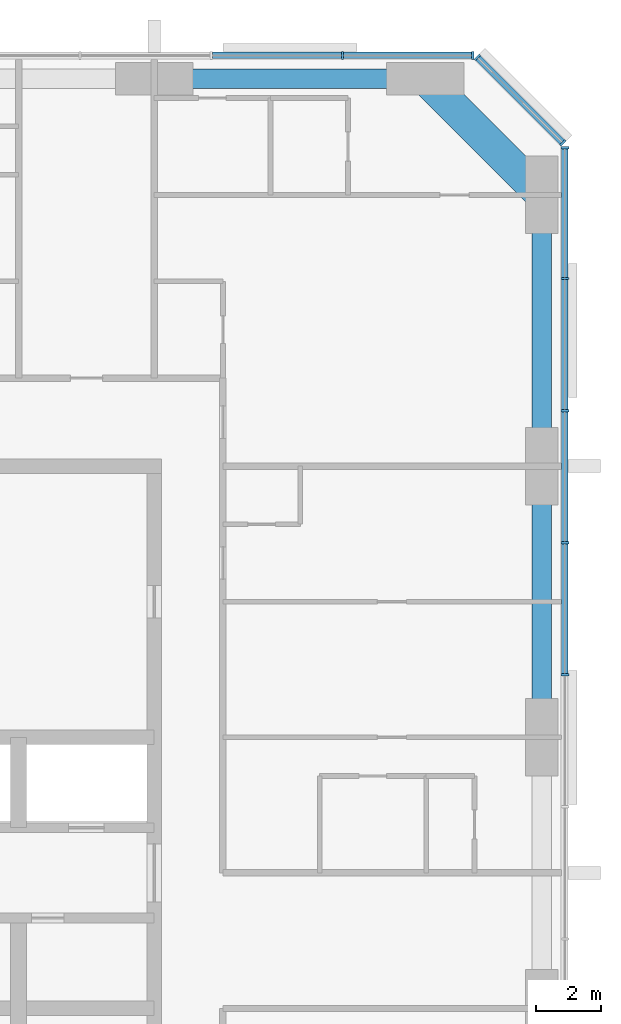
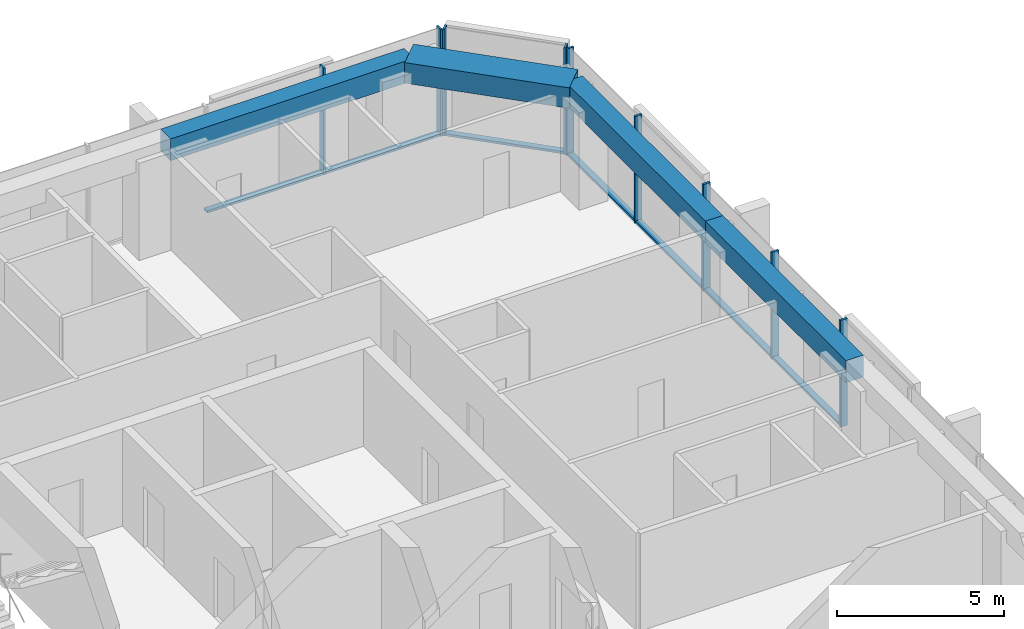
# One storey, part 5 of 12: 16 members, 4 beams, 3 elements without a shape of their own.
"""IFC4 building model written with IfcOpenShell, lengths in metres."""

import ifcopenshell
import ifcopenshell.guid

model = None  # the IFC model being written
_history = None  # IfcOwnerHistory: only IFC2X3 demands one
_inside = {}  # id of a spatial element -> (the spatial element, [elements in it])
_under = {}  # id of a project, library or spatial element -> (it, [spatial elements below it])
_declared = {}  # id of a project -> (the project, [libraries it declares])
_typed = {}  # id of a type object -> (the type object, [elements of that type])
_made_of = {}  # id of a material, layer set ... -> (it, [elements and type objects made of it])


def new_model(schema):
    """Start an empty IFC model of exactly this schema.

    Asked for "IFC4X3", IfcOpenShell would pick the latest addendum, in which some entities
    have other attributes; the version numbers below select the first issue.
    IFC2X3 requires an IfcOwnerHistory on every rooted entity: one is made here for all.
    """
    global model, _history
    if schema == "IFC4X3":
        model = ifcopenshell.file(schema_version=(4, 3, 0, 0))
    else:
        model = ifcopenshell.file(schema=schema)
    _inside.clear()
    _under.clear()
    _declared.clear()
    _typed.clear()
    _made_of.clear()
    _history = None
    if model.schema == "IFC2X3":
        org = make("IfcOrganization", Name="unknown")
        user = make(
            "IfcPersonAndOrganization",
            ThePerson=make("IfcPerson", FamilyName="unknown"),
            TheOrganization=org,
        )
        app = make(
            "IfcApplication",
            ApplicationDeveloper=org,
            Version="unknown",
            ApplicationFullName="unknown",
            ApplicationIdentifier="unknown",
        )
        _history = make(
            "IfcOwnerHistory",
            OwningUser=user,
            OwningApplication=app,
            ChangeAction="ADDED",
            CreationDate=0,
        )
    return model


def make(cls, **values):
    """One entity of the class cls with the attributes given. An attribute that is None is left unset."""
    return model.create_entity(
        cls, **{name: value for name, value in values.items() if value is not None}
    )


def rooted(cls, **values):
    """An entity with a GlobalId (a new one), such as an element, a storey or a relation."""
    return make(cls, GlobalId=ifcopenshell.guid.new(), OwnerHistory=_history, **values)


def si_unit(unit_type, name, prefix=None):
    """IfcSIUnit, for example si_unit("LENGTHUNIT", "METRE", prefix="MILLI")."""
    return make("IfcSIUnit", UnitType=unit_type, Prefix=prefix, Name=name)


def assignment(units):
    """IfcUnitAssignment: the units of a project."""
    return None if units is None else make("IfcUnitAssignment", Units=units)


def point(xyz):
    """IfcCartesianPoint."""
    return None if xyz is None else make("IfcCartesianPoint", Coordinates=xyz)


def direction(xyz):
    """IfcDirection."""
    return None if xyz is None else make("IfcDirection", DirectionRatios=xyz)


def frame(location, z_axis=None, x_axis=None):
    """IfcAxis2Placement3D, a coordinate frame: its origin and axes. An axis left out is left unset."""
    return make(
        "IfcAxis2Placement3D",
        Location=point(location),
        Axis=direction(z_axis),
        RefDirection=direction(x_axis),
    )


def frame_2d(location, x_axis=None):
    """IfcAxis2Placement2D, a coordinate frame in the plane: its origin and x axis."""
    return make(
        "IfcAxis2Placement2D", Location=point(location), RefDirection=direction(x_axis)
    )


def origin():
    """The frame at (0, 0, 0) with its axes left unset."""
    return frame((0.0, 0.0, 0.0))


def origin_2d():
    """The frame at (0, 0) in the plane with its x axis left unset."""
    return frame_2d((0.0, 0.0))


def place(relative_to, where):
    """IfcLocalPlacement: puts the frame where relative to a parent placement (None: the world)."""
    return make(
        "IfcLocalPlacement", PlacementRelTo=relative_to, RelativePlacement=where
    )


def context(
    kind, dimensions, precision=None, world=None, true_north=None, identifier=None
):
    """IfcGeometricRepresentationContext, for example the 3D "Model" context."""
    return make(
        "IfcGeometricRepresentationContext",
        ContextIdentifier=identifier,
        ContextType=kind,
        CoordinateSpaceDimension=dimensions,
        Precision=precision,
        WorldCoordinateSystem=world,
        TrueNorth=true_north,
    )


def subcontext(parent, identifier, kind, view, scale=None):
    """IfcGeometricRepresentationSubContext, for example "Body" below "Model"."""
    return make(
        "IfcGeometricRepresentationSubContext",
        ContextIdentifier=identifier,
        ContextType=kind,
        ParentContext=parent,
        TargetScale=scale,
        TargetView=view,
    )


def project(units=None, contexts=None):
    """IfcProject with its units and contexts."""
    return rooted(
        "IfcProject",
        Name="project",
        RepresentationContexts=contexts,
        UnitsInContext=assignment(units),
    )


def spatial(cls, under=None, at=None, **own):
    """A site, building, storey or space (cls), placed at a placement, below another one or the project."""
    s = rooted(cls, ObjectPlacement=at, **own)
    if under is not None:
        _under.setdefault(under.id(), (under, []))[1].append(s)
    return s


def profile(cls, at=None, kind="AREA", **sizes):
    """A parametric profile (cls). Its sizes go by their IFC names, for example OverallWidth=200.0."""
    return make(cls, ProfileType=kind, Position=at, **sizes)


def rectangle(**sizes):
    """IfcRectangleProfileDef."""
    return profile("IfcRectangleProfileDef", **sizes)


def extrude(swept, where, along, depth):
    """IfcExtrudedAreaSolid: the profile swept, set in the frame where, extruded along a direction by depth."""
    return make(
        "IfcExtrudedAreaSolid",
        SweptArea=swept,
        Position=where,
        ExtrudedDirection=direction(along),
        Depth=depth,
    )


def shape(context_of_items, identifier, shape_type, items):
    """IfcShapeRepresentation: the items that make up one representation, for example the "Body"."""
    return make(
        "IfcShapeRepresentation",
        ContextOfItems=context_of_items,
        RepresentationIdentifier=identifier,
        RepresentationType=shape_type,
        Items=items,
    )


def material(Name=None, Category=None):
    """IfcMaterial."""
    return make("IfcMaterial", Name=Name, Category=Category)


def material_profile(
    of_material, cross_section, Name=None, Category=None, Priority=None
):
    """IfcMaterialProfile: a cross section and its material."""
    return make(
        "IfcMaterialProfile",
        Name=Name,
        Material=of_material,
        Profile=cross_section,
        Priority=Priority,
        Category=Category,
    )


def profile_set(profiles, Name=None, composite=None):
    """IfcMaterialProfileSet."""
    return make(
        "IfcMaterialProfileSet",
        Name=Name,
        MaterialProfiles=profiles,
        CompositeProfile=composite,
    )


def made_of(thing, what):
    """Note that an element or type object is made of a material, layer set ...; save() writes the relation."""
    if what is not None:
        _made_of.setdefault(what.id(), (what, []))[1].append(thing)
    return thing


def type_object(cls, material=None, **own):
    """A type object (cls), such as IfcWallType, which elements share."""
    return made_of(rooted(cls, **own), material)


def element(
    cls,
    number,
    at=None,
    inside=None,
    cuts=None,
    type_object=None,
    material=None,
    context=None,
    identifier="Body",
    shape_type=None,
    held_by="IfcProductDefinitionShape",
    body=None,
    shapes=None,
    **own,
):
    """One element of the class cls, such as IfcWall. Its Tag is "e" and its number.

    at: its placement. inside: the storey or other place that contains it. cuts: it is an
    opening in that element (IfcRelVoidsElement). A single representation is given by context,
    identifier, shape_type and body (its items); several are given by shapes. held_by: the class
    of the entity that holds the representations. save() writes the other relations.
    """
    e = rooted(cls, Tag="e%d" % number, ObjectPlacement=at, **own)
    if body is not None:
        shapes = [shape(context, identifier, shape_type, body)]
    if shapes is not None:
        e.Representation = make(held_by, Representations=shapes)
    if inside is not None:
        _inside.setdefault(inside.id(), (inside, []))[1].append(e)
    if cuts is not None:
        rooted(
            "IfcRelVoidsElement", RelatingBuildingElement=cuts, RelatedOpeningElement=e
        )
    if type_object is not None:
        _typed.setdefault(type_object.id(), (type_object, []))[1].append(e)
    return made_of(e, material)


def aggregate(whole, parts):
    """IfcRelAggregates: a whole, such as a stair, and the parts it consists of."""
    return rooted("IfcRelAggregates", RelatingObject=whole, RelatedObjects=parts)


def save(model, path):
    """Write the relations noted so far, then the file.

    IfcRelAggregates (storeys below a building ...), IfcRelContainedInSpatialStructure (elements
    in a storey), IfcRelDefinesByType, IfcRelAssociatesMaterial and IfcRelDeclares: one each for
    every whole, place, type object, material and project.
    """
    for whole, parts in _under.values():
        aggregate(whole, parts)
    for where, things in _inside.values():
        rooted(
            "IfcRelContainedInSpatialStructure",
            RelatedElements=things,
            RelatingStructure=where,
        )
    for kind, things in _typed.values():
        rooted("IfcRelDefinesByType", RelatedObjects=things, RelatingType=kind)
    for what, things in _made_of.values():
        rooted("IfcRelAssociatesMaterial", RelatedObjects=things, RelatingMaterial=what)
    for by, libraries in _declared.values():
        rooted("IfcRelDeclares", RelatingContext=by, RelatedDefinitions=libraries)
    model.write(path)


model = new_model("IFC4")

# Units and contexts
model_context = context("Model", 3, precision=1e-05, world=origin(), true_north=direction((0.0, 1.0)))
body_context = subcontext(model_context, "Body", "Model", "MODEL_VIEW")
ifc_project = project(units=[si_unit("LENGTHUNIT", "METRE"), si_unit("AREAUNIT", "SQUARE_METRE"), si_unit("VOLUMEUNIT", "CUBIC_METRE"), si_unit("PLANEANGLEUNIT", "RADIAN"), si_unit("MASSUNIT", "GRAM", prefix="KILO")], contexts=[model_context])

# Site, building, storey
site_placement = place(None, origin())
site = spatial("IfcSite", under=ifc_project, at=site_placement, CompositionType="ELEMENT")
building_placement = place(site_placement, origin())
building = spatial("IfcBuilding", under=site, at=building_placement, Name="Dunama Terrace Hotel", CompositionType="ELEMENT")
storey_placement = place(building_placement, frame((0.0, 0.0, 241.199951171875)))
storey = spatial("IfcBuildingStorey", under=building, at=storey_placement, Name="L62", CompositionType="ELEMENT", Elevation=241.199951171875)

# Curtain wall, members
ifc_material_1 = material(Name="Aluminium curtain wall system", Category="aluminium")
curtain_wall_type = type_object("IfcCurtainWallType", Name="Unitised fritted glass wall CW-D", PredefinedType="NOTDEFINED", material=ifc_material_1)
curtain_wall_1_placement = place(storey_placement, origin())
curtain_wall_1 = element("IfcCurtainWall", 1, at=curtain_wall_1_placement, inside=storey, type_object=curtain_wall_type, Name="Unitised fritted glass wall CW-D L62", PredefinedType="NOTDEFINED")
ifc_material_2 = material(Name="Aluminium mullion", Category="aluminium")
ifc_material_profile_1 = material_profile(ifc_material_2, rectangle(XDim=0.070068359375, YDim=0.239990234375, at=origin_2d()), Name="CWD MULLION 70X240")
ifc_profile_set_1 = profile_set([ifc_material_profile_1], Name="Aluminium mullion")
member_type_1 = type_object("IfcMemberType", Name="CWD mullion 70x240", PredefinedType="MULLION", material=ifc_profile_set_1)
member_1_placement = place(storey_placement, frame((54.719970703125, 35.535888671875, 0.0), z_axis=(0.0, 0.0, 1.0), x_axis=(0.0, 1.0, 0.0)))
member_1 = element("IfcMember", 2, at=member_1_placement, type_object=member_type_1, Name="CWD mullion", PredefinedType="MULLION", context=body_context, shape_type="SweptSolid", body=[
    extrude(rectangle(XDim=0.070068359375, YDim=0.239990234375, at=origin_2d()), origin(), (0.0, 0.0, 1.0), 3.900146484375),
])
member_2_placement = place(storey_placement, frame((54.719970703125, 39.626953125, 0.0), z_axis=(0.0, 0.0, 1.0), x_axis=(0.0, 1.0, 0.0)))
member_2 = element("IfcMember", 3, at=member_2_placement, type_object=member_type_1, Name="CWD mullion", PredefinedType="MULLION", context=body_context, shape_type="SweptSolid", body=[
    extrude(rectangle(XDim=0.070068359375, YDim=0.239990234375, at=origin_2d()), origin(), (0.0, 0.0, 1.0), 3.900146484375),
])
member_3_placement = place(storey_placement, frame((54.719970703125, 43.718017578125, 0.0), z_axis=(0.0, 0.0, 1.0), x_axis=(0.0, 1.0, 0.0)))
member_3 = element("IfcMember", 4, at=member_3_placement, type_object=member_type_1, Name="CWD mullion", PredefinedType="MULLION", context=body_context, shape_type="SweptSolid", body=[
    extrude(rectangle(XDim=0.070068359375, YDim=0.239990234375, at=origin_2d()), origin(), (0.0, 0.0, 1.0), 3.900146484375),
])
member_4_placement = place(storey_placement, frame((54.719970703125, 47.80908203125, 0.0), z_axis=(0.0, 0.0, 1.0), x_axis=(0.0, 1.0, 0.0)))
member_4 = element("IfcMember", 5, at=member_4_placement, type_object=member_type_1, Name="CWD mullion", PredefinedType="MULLION", context=body_context, shape_type="SweptSolid", body=[
    extrude(rectangle(XDim=0.070068359375, YDim=0.239990234375, at=origin_2d()), origin(), (0.0, 0.0, 1.0), 3.900146484375),
])
member_5_placement = place(storey_placement, frame((54.719970703125, 51.864990234375, 0.0), z_axis=(0.0, 0.0, 1.0), x_axis=(0.0, 1.0, 0.0)))
member_5 = element("IfcMember", 6, at=member_5_placement, type_object=member_type_1, Name="CWD mullion", PredefinedType="MULLION", context=body_context, shape_type="SweptSolid", body=[
    extrude(rectangle(XDim=0.070068359375, YDim=0.239990234375, at=origin_2d()), origin(), (0.0, 0.0, 1.0), 3.900146484375),
])

curtain_wall_2_placement = place(storey_placement, origin())
curtain_wall_2 = element("IfcCurtainWall", 7, at=curtain_wall_2_placement, inside=storey, type_object=curtain_wall_type, Name="Unitised fritted glass wall CW-D L62", PredefinedType="NOTDEFINED")
member_6_placement = place(storey_placement, frame((54.659912109375, 52.010009765625, 0.0), z_axis=(0.0, 0.0, 1.0), x_axis=(-0.707106781187, 0.707106781187, 0.0)))
member_6 = element("IfcMember", 8, at=member_6_placement, type_object=member_type_1, Name="CWD mullion", PredefinedType="MULLION", context=body_context, shape_type="SweptSolid", body=[
    extrude(rectangle(XDim=0.070068359375, YDim=0.239990234375, at=origin_2d()), origin(), (0.0, 0.0, 1.0), 3.900146484375),
])
member_7_placement = place(storey_placement, frame((52.010009765625, 54.659912109375, 0.0), z_axis=(0.0, 0.0, 1.0), x_axis=(-0.707106781187, 0.707106781187, 0.0)))
member_7 = element("IfcMember", 9, at=member_7_placement, type_object=member_type_1, Name="CWD mullion", PredefinedType="MULLION", context=body_context, shape_type="SweptSolid", body=[
    extrude(rectangle(XDim=0.070068359375, YDim=0.239990234375, at=origin_2d()), origin(), (0.0, 0.0, 1.0), 3.900146484375),
])

curtain_wall_3_placement = place(storey_placement, origin())
curtain_wall_3 = element("IfcCurtainWall", 10, at=curtain_wall_3_placement, inside=storey, type_object=curtain_wall_type, Name="Unitised fritted glass wall CW-D L62", PredefinedType="NOTDEFINED")
member_8_placement = place(storey_placement, frame((51.864990234375, 54.719970703125, 0.0), z_axis=(0.0, 0.0, 1.0), x_axis=(-1.0, 0.0, 0.0)))
member_8 = element("IfcMember", 11, at=member_8_placement, type_object=member_type_1, Name="CWD mullion", PredefinedType="MULLION", context=body_context, shape_type="SweptSolid", body=[
    extrude(rectangle(XDim=0.070068359375, YDim=0.239990234375, at=origin_2d()), origin(), (0.0, 0.0, 1.0), 3.900146484375),
])
member_9_placement = place(storey_placement, frame((47.8330078125, 54.719970703125, 0.0), z_axis=(0.0, 0.0, 1.0), x_axis=(-1.0, 0.0, 0.0)))
member_9 = element("IfcMember", 12, at=member_9_placement, type_object=member_type_1, Name="CWD mullion", PredefinedType="MULLION", context=body_context, shape_type="SweptSolid", body=[
    extrude(rectangle(XDim=0.070068359375, YDim=0.239990234375, at=origin_2d()), origin(), (0.0, 0.0, 1.0), 3.900146484375),
])

# Member
ifc_material_3 = material(Name="Aluminium transom", Category="aluminium")
ifc_material_profile_2 = material_profile(ifc_material_3, rectangle(XDim=0.199951171875, YDim=0.0849609375, at=origin_2d()), Name="CWD TRANSOM 200X85")
ifc_profile_set_2 = profile_set([ifc_material_profile_2], Name="Aluminium transom")
member_type_2 = type_object("IfcMemberType", Name="CWD transom 200x85", PredefinedType="USERDEFINED", material=ifc_profile_set_2)
member_10_placement = place(storey_placement, frame((54.719970703125, 35.571044921875, 0.04248046875), z_axis=(0.0, 1.0, 0.0), x_axis=(-1.0, 0.0, 0.0)))
member_10 = element("IfcMember", 13, at=member_10_placement, type_object=member_type_2, Name="CWD transom", ObjectType="TRANSOM", PredefinedType="USERDEFINED", context=body_context, shape_type="SweptSolid", body=[
    extrude(rectangle(XDim=0.199951171875, YDim=0.0849609375, at=origin_2d()), origin(), (0.0, 0.0, 1.0), 4.02099609375),
])

member_11_placement = place(storey_placement, frame((54.719970703125, 39.662109375, 0.04248046875), z_axis=(0.0, 1.0, 0.0), x_axis=(-1.0, 0.0, 0.0)))
member_11 = element("IfcMember", 14, at=member_11_placement, type_object=member_type_2, Name="CWD transom", ObjectType="TRANSOM", PredefinedType="USERDEFINED", context=body_context, shape_type="SweptSolid", body=[
    extrude(rectangle(XDim=0.199951171875, YDim=0.0849609375, at=origin_2d()), origin(), (0.0, 0.0, 1.0), 4.02099609375),
])

member_12_placement = place(storey_placement, frame((54.719970703125, 43.7529296875, 0.04248046875), z_axis=(0.0, 1.0, 0.0), x_axis=(-1.0, 0.0, 0.0)))
member_12 = element("IfcMember", 15, at=member_12_placement, type_object=member_type_2, Name="CWD transom", ObjectType="TRANSOM", PredefinedType="USERDEFINED", context=body_context, shape_type="SweptSolid", body=[
    extrude(rectangle(XDim=0.199951171875, YDim=0.0849609375, at=origin_2d()), origin(), (0.0, 0.0, 1.0), 4.02099609375),
])

member_13_placement = place(storey_placement, frame((54.719970703125, 47.843994140625, 0.04248046875), z_axis=(0.0, 1.0, 0.0), x_axis=(-1.0, 0.0, 0.0)))
member_13 = element("IfcMember", 16, at=member_13_placement, type_object=member_type_2, Name="CWD transom", ObjectType="TRANSOM", PredefinedType="USERDEFINED", context=body_context, shape_type="SweptSolid", body=[
    extrude(rectangle(XDim=0.199951171875, YDim=0.0849609375, at=origin_2d()), origin(), (0.0, 0.0, 1.0), 3.986083984375),
])

aggregate(curtain_wall_1, [member_1, member_2, member_3, member_4, member_5, member_10, member_11, member_12, member_13])

member_14_placement = place(storey_placement, frame((54.635009765625, 52.033935546875, 0.04248046875), z_axis=(-0.707106781187, 0.707106781187, 0.0), x_axis=(-0.707106781187, -0.707106781187, 0.0)))
member_14 = element("IfcMember", 17, at=member_14_placement, type_object=member_type_2, Name="CWD transom", ObjectType="TRANSOM", PredefinedType="USERDEFINED", context=body_context, shape_type="SweptSolid", body=[
    extrude(rectangle(XDim=0.199951171875, YDim=0.0849609375, at=origin_2d()), origin(), (0.0, 0.0, 1.0), 3.678466796875),
])

aggregate(curtain_wall_2, [member_6, member_7, member_14])

member_15_placement = place(storey_placement, frame((51.830078125, 54.719970703125, 0.04248046875), z_axis=(-1.0, 0.0, 0.0), x_axis=(0.0, -1.0, 0.0)))
member_15 = element("IfcMember", 18, at=member_15_placement, type_object=member_type_2, Name="CWD transom", ObjectType="TRANSOM", PredefinedType="USERDEFINED", context=body_context, shape_type="SweptSolid", body=[
    extrude(rectangle(XDim=0.199951171875, YDim=0.0849609375, at=origin_2d()), origin(), (0.0, 0.0, 1.0), 3.962158203125),
])

member_16_placement = place(storey_placement, frame((47.798095703125, 54.719970703125, 0.04248046875), z_axis=(-1.0, 0.0, 0.0), x_axis=(0.0, -1.0, 0.0)))
member_16 = element("IfcMember", 19, at=member_16_placement, type_object=member_type_2, Name="CWD transom", ObjectType="TRANSOM", PredefinedType="USERDEFINED", context=body_context, shape_type="SweptSolid", body=[
    extrude(rectangle(XDim=0.199951171875, YDim=0.0849609375, at=origin_2d()), origin(), (0.0, 0.0, 1.0), 3.99609375),
])

aggregate(curtain_wall_3, [member_8, member_9, member_15, member_16])

# Beams
ifc_material_4 = material(Name="Concrete C50/60", Category="concrete")
ifc_material_profile_3 = material_profile(ifc_material_4, rectangle(XDim=1.0, YDim=0.75, at=origin_2d()), Name="RC 1000x750")
ifc_profile_set_3 = profile_set([ifc_material_profile_3], Name="Concrete C50/60")
beam_type_1 = type_object("IfcBeamType", Name="Edge beam RC 1000x750", PredefinedType="SPANDREL", material=ifc_profile_set_3)
beam_placement = place(storey_placement, frame((50.39990234375, 54.0, 3.525146484375), z_axis=(0.707106781187, -0.707106781187, 0.0), x_axis=(0.707106781187, 0.707106781187, 0.0)))
element("IfcBeam", 20, at=beam_placement, inside=storey, type_object=beam_type_1, Name="Corner edge beam under L63", PredefinedType="SPANDREL", context=body_context, shape_type="SweptSolid", body=[
    extrude(rectangle(XDim=1.0, YDim=0.75, at=origin_2d()), origin(), (0.0, 0.0, 1.0), 5.09130859375),
])
ifc_material_5 = material(Name="Concrete C40/50", Category="concrete")
ifc_material_profile_4 = material_profile(ifc_material_5, rectangle(XDim=0.60009765625, YDim=0.800048828125, at=origin_2d()), Name="RC 600x800")
ifc_profile_set_4 = profile_set([ifc_material_profile_4], Name="Concrete C40/50")
beam_type_2 = type_object("IfcBeamType", Name="Edge beam RC 600x800", PredefinedType="SPANDREL", material=ifc_profile_set_4)
for number, where, z_axis, x_axis, name in (
    (21, (54.0, 33.60009765625, 3.5), (0.0, 1.0, 0.0), (-1.0, 0.0, 0.0), "Edge beam under L63"),
    (22, (54.0, 42.0, 3.5), (0.0, 1.0, 0.0), (-1.0, 0.0, 0.0), "Edge beam under L63"),
    (23, (42.0, 54.0, 3.5), (1.0, 0.0, 0.0), (0.0, 1.0, 0.0), "Edge beam under L63"),
):
    element("IfcBeam", number, at=place(storey_placement, frame(where, z_axis=z_axis, x_axis=x_axis)), inside=storey, type_object=beam_type_2, Name=name, PredefinedType="SPANDREL", context=body_context, shape_type="SweptSolid", body=[
        extrude(rectangle(XDim=0.60009765625, YDim=0.800048828125, at=origin_2d()), origin(), (0.0, 0.0, 1.0), 8.39990234375),
    ])

save(model, "model.ifc")
